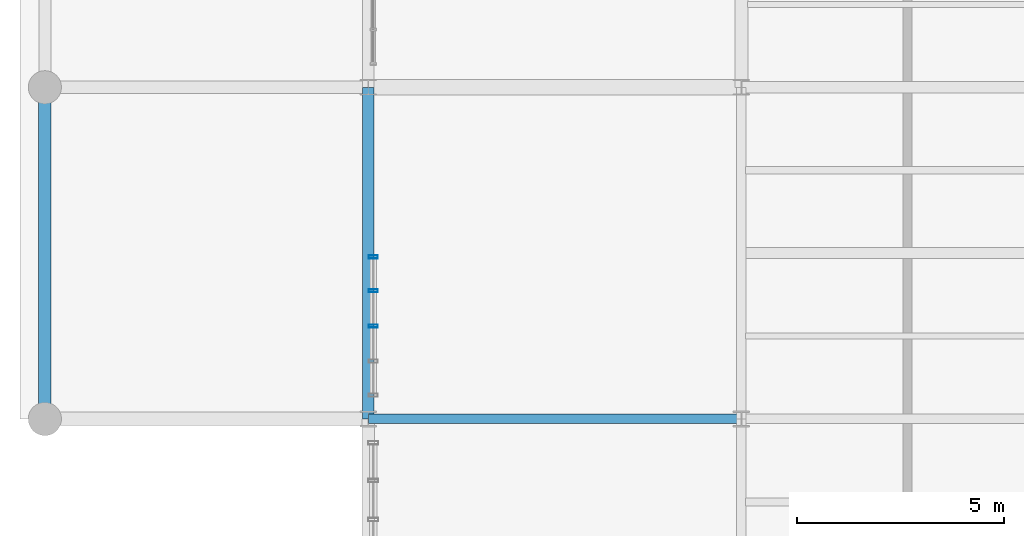
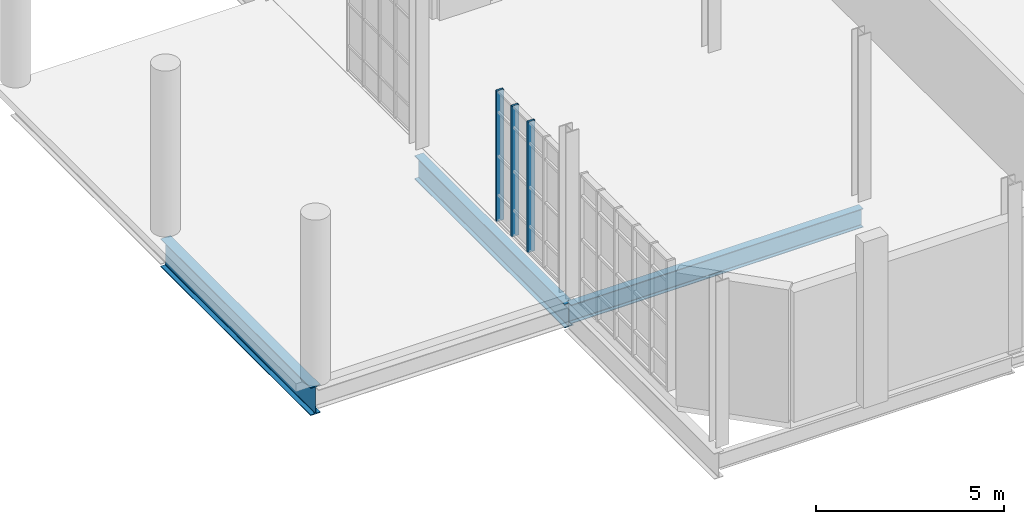
# One storey, part 15 of 189: 3 beams, 3 members, 1 element without a shape of its own.
"""IFC4 building model written with IfcOpenShell, lengths in metres."""

from ifc_helpers import new_model, si_unit, direction, frame, origin, origin_2d, place, context, subcontext, project, spatial, hollow_rectangle, i_section, extrude, material, layer, layer_set, material_profile, profile_set, type_object, element, aggregate, save


model = new_model("IFC4")

# Units and contexts
model_context = context("Model", 3, precision=1e-05, world=origin(), true_north=direction((0.0, 1.0)))
body_context = subcontext(model_context, "Body", "Model", "MODEL_VIEW")
ifc_project = project(units=[si_unit("LENGTHUNIT", "METRE"), si_unit("AREAUNIT", "SQUARE_METRE"), si_unit("VOLUMEUNIT", "CUBIC_METRE"), si_unit("PLANEANGLEUNIT", "RADIAN"), si_unit("MASSUNIT", "GRAM", prefix="KILO"), si_unit("THERMODYNAMICTEMPERATUREUNIT", "KELVIN"), si_unit("POWERUNIT", "WATT")], contexts=[model_context])

# Site, building, storey
site_placement = place(None, origin())
site = spatial("IfcSite", under=ifc_project, at=site_placement, CompositionType="ELEMENT")
building_placement = place(site_placement, origin())
building = spatial("IfcBuilding", under=site, at=building_placement, Name="Zelmaris Science Centre", CompositionType="ELEMENT")
storey_placement = place(building_placement, origin())
storey = spatial("IfcBuildingStorey", under=building, at=storey_placement, Name="L00", CompositionType="ELEMENT", Elevation=0.0)

# Curtain wall, members
ifc_material_1 = material(Name="Anodised architectural aluminium 6063-T6", Category="aluminium")
ifc_layer = layer(ifc_material_1, 0.199951171875, Name="Anodised architectural aluminium 6063-T6")
ifc_layer_set = layer_set([ifc_layer], Name="Anodised architectural aluminium 6063-T6")
curtain_wall_type = type_object("IfcCurtainWallType", Name="Curtain Wall CW-02", PredefinedType="USERDEFINED", material=ifc_layer_set)
curtain_wall_placement = place(storey_placement, origin())
curtain_wall = element("IfcCurtainWall", 1, at=curtain_wall_placement, inside=storey, type_object=curtain_wall_type, Name="L00 Unitised curtain wall 2", ObjectType="GLAZED CURTAIN WALL", PredefinedType="USERDEFINED")
ifc_material_profile_1 = material_profile(ifc_material_1, hollow_rectangle(XDim=0.074951171875, YDim=0.219970703125, WallThickness=0.0048828125, at=origin_2d()), Name="ALU-MUL-75X220")
ifc_profile_set_1 = profile_set([ifc_material_profile_1], Name="Anodised architectural aluminium 6063-T6")
member_type = type_object("IfcMemberType", Name="ALU-MUL-75X220", PredefinedType="MULLION", material=ifc_profile_set_1)
member_1_placement = place(storey_placement, frame((9.1201171875, 18.239990234375, -0.014892578125), z_axis=(0.0, 0.0, 1.0), x_axis=(0.0, 1.0, 0.0)))
member_1 = element("IfcMember", 2, at=member_1_placement, type_object=member_type, Name="CW-02 mullion 3", PredefinedType="MULLION", context=body_context, shape_type="SweptSolid", body=[
    extrude(hollow_rectangle(XDim=0.074951171875, YDim=0.219970703125, WallThickness=0.0048828125, at=origin_2d()), origin(), (0.0, 0.0, 1.0), 4.248779296875),
])
member_2_placement = place(storey_placement, frame((9.1201171875, 19.090087890625, -0.014892578125), z_axis=(0.0, 0.0, 1.0), x_axis=(0.0, 1.0, 0.0)))
member_2 = element("IfcMember", 3, at=member_2_placement, type_object=member_type, Name="CW-02 mullion 4", PredefinedType="MULLION", context=body_context, shape_type="SweptSolid", body=[
    extrude(hollow_rectangle(XDim=0.074951171875, YDim=0.219970703125, WallThickness=0.0048828125, at=origin_2d()), origin(), (0.0, 0.0, 1.0), 4.248779296875),
])
member_3_placement = place(storey_placement, frame((9.1201171875, 19.906494140625, -0.014892578125), z_axis=(0.0, 0.0, 1.0), x_axis=(0.0, 1.0, 0.0)))
member_3 = element("IfcMember", 4, at=member_3_placement, type_object=member_type, Name="CW-02 mullion 5", PredefinedType="MULLION", context=body_context, shape_type="SweptSolid", body=[
    extrude(hollow_rectangle(XDim=0.074951171875, YDim=0.219970703125, WallThickness=0.0048828125, at=origin_2d()), origin(), (0.0, 0.0, 1.0), 4.248779296875),
])
aggregate(curtain_wall, [member_1, member_2, member_3])

# Beams
ifc_material_2 = material(Name="Steel ASTM A992 Grade 50", Category="steel")
ifc_material_profile_2 = material_profile(ifc_material_2, i_section(OverallWidth=0.304931640625, OverallDepth=0.9140625, WebThickness=0.0166015625, FlangeThickness=0.02587890625, FilletRadius=0.02392578125, at=origin_2d()), Name="W36X160")
ifc_profile_set_2 = profile_set([ifc_material_profile_2], Name="Steel ASTM A992 Grade 50")
beam_type_1 = type_object("IfcBeamType", Name="Beam G-04 W36X160", PredefinedType="BEAM", material=ifc_profile_set_2)
beam_1_placement = place(storey_placement, frame((1.199951171875, 16.0, -0.737060546875), z_axis=(0.0, 1.0, 0.0), x_axis=(-1.0, 0.0, 0.0)))
element("IfcBeam", 5, at=beam_1_placement, inside=storey, type_object=beam_type_1, Name="L00 North-south girder 1", PredefinedType="BEAM", context=body_context, shape_type="SweptSolid", body=[
    extrude(i_section(OverallWidth=0.304931640625, OverallDepth=0.9140625, WebThickness=0.0166015625, FlangeThickness=0.02587890625, FilletRadius=0.02392578125, at=origin_2d()), origin(), (0.0, 0.0, 1.0), 8.0),
])
ifc_material_profile_3 = material_profile(ifc_material_2, i_section(OverallWidth=0.26708984375, OverallDepth=0.77001953125, WebThickness=0.015625, FlangeThickness=0.025390625, FilletRadius=0.01904296875, at=origin_2d()), Name="W30X132")
ifc_profile_set_3 = profile_set([ifc_material_profile_3], Name="Steel ASTM A992 Grade 50")
beam_type_2 = type_object("IfcBeamType", Name="Beam G-09 W30X132", PredefinedType="BEAM", material=ifc_profile_set_3)
beam_2_placement = place(storey_placement, frame((9.0, 16.0, -0.695068359375), z_axis=(0.0, 1.0, 0.0), x_axis=(-1.0, 0.0, 0.0)))
element("IfcBeam", 6, at=beam_2_placement, inside=storey, type_object=beam_type_2, Name="L00 North-south girder 4", PredefinedType="BEAM", context=body_context, shape_type="SweptSolid", body=[
    extrude(i_section(OverallWidth=0.26708984375, OverallDepth=0.77001953125, WebThickness=0.015625, FlangeThickness=0.025390625, FilletRadius=0.01904296875, at=origin_2d()), origin(), (0.0, 0.0, 1.0), 8.0),
])
ifc_material_profile_4 = material_profile(ifc_material_2, i_section(OverallWidth=0.22900390625, OverallDepth=0.612060546875, WebThickness=0.011962890625, FlangeThickness=0.01953125, FilletRadius=0.014892578125, at=origin_2d()), Name="W24X84")
ifc_profile_set_4 = profile_set([ifc_material_profile_4], Name="Steel ASTM A992 Grade 50")
beam_type_3 = type_object("IfcBeamType", Name="Beam G-16 W24X84", PredefinedType="BEAM", material=ifc_profile_set_4)
beam_3_placement = place(storey_placement, frame((9.0, 16.0, -0.615966796875), z_axis=(1.0, 0.0, 0.0), x_axis=(0.0, 1.0, 0.0)))
element("IfcBeam", 7, at=beam_3_placement, inside=storey, type_object=beam_type_3, Name="L00 East-west girder 102", PredefinedType="BEAM", context=body_context, shape_type="SweptSolid", body=[
    extrude(i_section(OverallWidth=0.22900390625, OverallDepth=0.612060546875, WebThickness=0.011962890625, FlangeThickness=0.01953125, FilletRadius=0.014892578125, at=origin_2d()), origin(), (0.0, 0.0, 1.0), 9.0),
])

save(model, "model.ifc")
